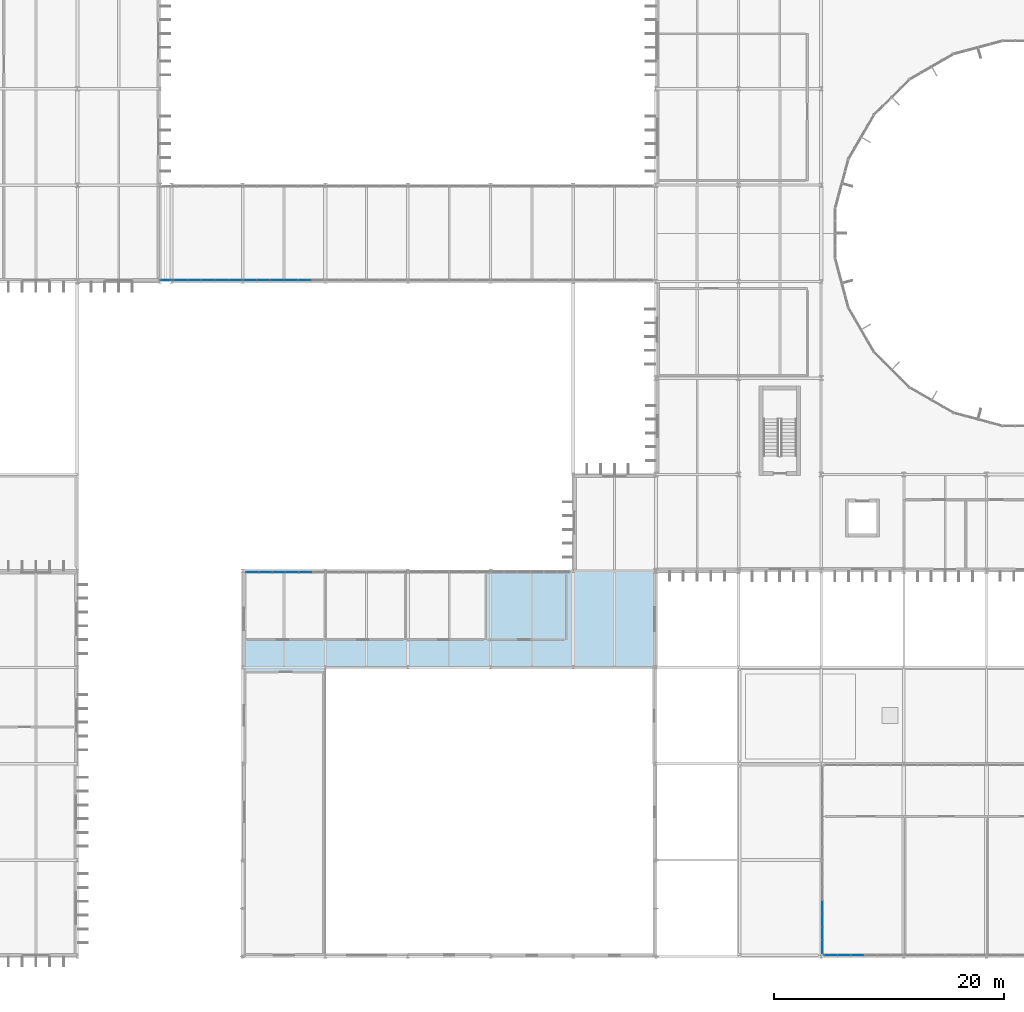
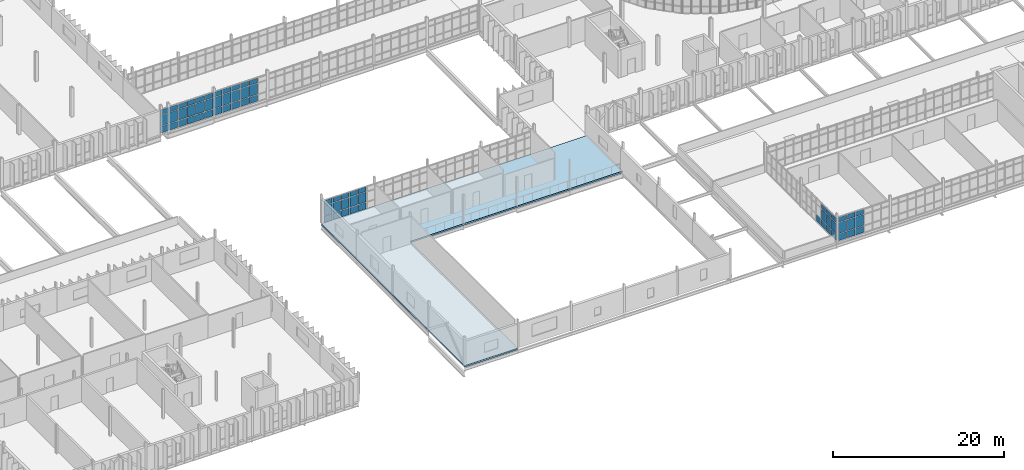
# One storey, part 67 of 119: 67 plates, 1 slab, 5 elements without a shape of their own.
"""IFC4 building model written with IfcOpenShell, lengths in metres."""

from ifc_helpers import new_model, si_unit, direction, frame, origin, origin_2d, place, context, subcontext, project, spatial, polyline, rectangle, outline, extrude, material, layer, layer_set, type_object, element, aggregate, save


model = new_model("IFC4")

# Units and contexts
model_context = context("Model", 3, precision=1e-05, world=origin(), true_north=direction((0.0, 1.0)))
body_context = subcontext(model_context, "Body", "Model", "MODEL_VIEW")
ifc_project = project(units=[si_unit("LENGTHUNIT", "METRE"), si_unit("AREAUNIT", "SQUARE_METRE"), si_unit("VOLUMEUNIT", "CUBIC_METRE"), si_unit("PLANEANGLEUNIT", "RADIAN"), si_unit("MASSUNIT", "GRAM", prefix="KILO")], contexts=[model_context])

# Site, building, storey
site_placement = place(None, origin())
site = spatial("IfcSite", under=ifc_project, at=site_placement, CompositionType="ELEMENT")
building_placement = place(site_placement, origin())
building = spatial("IfcBuilding", under=site, at=building_placement, Name="Qelthora Terrace Specialist Clinic", CompositionType="ELEMENT")
storey_placement = place(building_placement, frame((0.0, 0.0, 4.800048828125)))
storey = spatial("IfcBuildingStorey", under=building, at=storey_placement, Name="L01", CompositionType="ELEMENT", Elevation=4.800048828125)

# Curtain wall, plates
ifc_material_1 = material(Name="Aluminium anodized bronze", Category="aluminium")
curtain_wall_type_1 = type_object("IfcCurtainWallType", Name="CW-HALL-L01", PredefinedType="NOTDEFINED", material=ifc_material_1)
curtain_wall_1_placement = place(storey_placement, origin())
curtain_wall_1 = element("IfcCurtainWall", 1, at=curtain_wall_1_placement, inside=storey, type_object=curtain_wall_type_1, Name="Curtain wall CW-L01-224", PredefinedType="NOTDEFINED")
ifc_material_2 = material(Name="Low-E triple-silver insulating glass", Category="glass")
ifc_layer_1 = layer(ifc_material_2, 0.035888671875)
ifc_layer_set_1 = layer_set([ifc_layer_1], Name="Low-E triple-silver insulating glass")
plate_type = type_object("IfcPlateType", Name="CWP-IGU-36", PredefinedType="CURTAIN_PANEL", material=ifc_layer_set_1)
plate_1_placement = place(storey_placement, frame((58.438232421875, 33.47998046875, 0.0849609375), z_axis=(0.0, 0.0, 1.0), x_axis=(1.0, 0.0, 0.0)))
plate_1 = element("IfcPlate", 2, at=plate_1_placement, type_object=plate_type, Name="CW-L01-224 glazed panel 1", PredefinedType="CURTAIN_PANEL", context=body_context, shape_type="SweptSolid", body=[
    extrude(rectangle(XDim=1.056640625, YDim=0.035888671875, at=origin_2d()), origin(), (0.0, 0.0, 1.0), 0.919921875),
])
plate_2_placement = place(storey_placement, frame((58.438232421875, 33.47998046875, 1.0947265625), z_axis=(0.0, 0.0, 1.0), x_axis=(1.0, 0.0, 0.0)))
plate_2 = element("IfcPlate", 3, at=plate_2_placement, type_object=plate_type, Name="CW-L01-224 glazed panel 2", PredefinedType="CURTAIN_PANEL", context=body_context, shape_type="SweptSolid", body=[
    extrude(rectangle(XDim=1.056640625, YDim=0.035888671875, at=origin_2d()), origin(), (0.0, 0.0, 1.0), 1.385009765625),
])
plate_3_placement = place(storey_placement, frame((58.438232421875, 33.47998046875, 2.570068359375), z_axis=(0.0, 0.0, 1.0), x_axis=(1.0, 0.0, 0.0)))
plate_3 = element("IfcPlate", 4, at=plate_3_placement, type_object=plate_type, Name="CW-L01-224 glazed panel 3", PredefinedType="CURTAIN_PANEL", context=body_context, shape_type="SweptSolid", body=[
    extrude(rectangle(XDim=1.056640625, YDim=0.035888671875, at=origin_2d()), origin(), (0.0, 0.0, 1.0), 0.669921875),
])
plate_4_placement = place(storey_placement, frame((59.594970703125, 33.47998046875, 0.0849609375), z_axis=(0.0, 0.0, 1.0), x_axis=(1.0, 0.0, 0.0)))
plate_4 = element("IfcPlate", 5, at=plate_4_placement, type_object=plate_type, Name="CW-L01-224 glazed panel 4", PredefinedType="CURTAIN_PANEL", context=body_context, shape_type="SweptSolid", body=[
    extrude(rectangle(XDim=1.056640625, YDim=0.035888671875, at=origin_2d()), origin(), (0.0, 0.0, 1.0), 0.919921875),
])
plate_5_placement = place(storey_placement, frame((59.594970703125, 33.47998046875, 1.0947265625), z_axis=(0.0, 0.0, 1.0), x_axis=(1.0, 0.0, 0.0)))
plate_5 = element("IfcPlate", 6, at=plate_5_placement, type_object=plate_type, Name="CW-L01-224 glazed panel 5", PredefinedType="CURTAIN_PANEL", context=body_context, shape_type="SweptSolid", body=[
    extrude(rectangle(XDim=1.056640625, YDim=0.035888671875, at=origin_2d()), origin(), (0.0, 0.0, 1.0), 1.385009765625),
])
plate_6_placement = place(storey_placement, frame((59.594970703125, 33.47998046875, 2.570068359375), z_axis=(0.0, 0.0, 1.0), x_axis=(1.0, 0.0, 0.0)))
plate_6 = element("IfcPlate", 7, at=plate_6_placement, type_object=plate_type, Name="CW-L01-224 glazed panel 6", PredefinedType="CURTAIN_PANEL", context=body_context, shape_type="SweptSolid", body=[
    extrude(rectangle(XDim=1.056640625, YDim=0.035888671875, at=origin_2d()), origin(), (0.0, 0.0, 1.0), 0.669921875),
])
plate_7_placement = place(storey_placement, frame((60.751708984375, 33.47998046875, 0.0849609375), z_axis=(0.0, 0.0, 1.0), x_axis=(1.0, 0.0, 0.0)))
plate_7 = element("IfcPlate", 8, at=plate_7_placement, type_object=plate_type, Name="CW-L01-224 glazed panel 7", PredefinedType="CURTAIN_PANEL", context=body_context, shape_type="SweptSolid", body=[
    extrude(rectangle(XDim=1.056640625, YDim=0.035888671875, at=origin_2d()), origin(), (0.0, 0.0, 1.0), 0.919921875),
])
plate_8_placement = place(storey_placement, frame((60.751708984375, 33.47998046875, 1.0947265625), z_axis=(0.0, 0.0, 1.0), x_axis=(1.0, 0.0, 0.0)))
plate_8 = element("IfcPlate", 9, at=plate_8_placement, type_object=plate_type, Name="CW-L01-224 glazed panel 8", PredefinedType="CURTAIN_PANEL", context=body_context, shape_type="SweptSolid", body=[
    extrude(rectangle(XDim=1.056640625, YDim=0.035888671875, at=origin_2d()), origin(), (0.0, 0.0, 1.0), 1.385009765625),
])
plate_9_placement = place(storey_placement, frame((60.751708984375, 33.47998046875, 2.570068359375), z_axis=(0.0, 0.0, 1.0), x_axis=(1.0, 0.0, 0.0)))
plate_9 = element("IfcPlate", 10, at=plate_9_placement, type_object=plate_type, Name="CW-L01-224 glazed panel 9", PredefinedType="CURTAIN_PANEL", context=body_context, shape_type="SweptSolid", body=[
    extrude(rectangle(XDim=1.056640625, YDim=0.035888671875, at=origin_2d()), origin(), (0.0, 0.0, 1.0), 0.669921875),
])
plate_10_placement = place(storey_placement, frame((61.908447265625, 33.47998046875, 0.0849609375), z_axis=(0.0, 0.0, 1.0), x_axis=(1.0, 0.0, 0.0)))
plate_10 = element("IfcPlate", 11, at=plate_10_placement, type_object=plate_type, Name="CW-L01-224 glazed panel 10", PredefinedType="CURTAIN_PANEL", context=body_context, shape_type="SweptSolid", body=[
    extrude(rectangle(XDim=1.056640625, YDim=0.035888671875, at=origin_2d()), origin(), (0.0, 0.0, 1.0), 0.919921875),
])
plate_11_placement = place(storey_placement, frame((61.908447265625, 33.47998046875, 1.0947265625), z_axis=(0.0, 0.0, 1.0), x_axis=(1.0, 0.0, 0.0)))
plate_11 = element("IfcPlate", 12, at=plate_11_placement, type_object=plate_type, Name="CW-L01-224 glazed panel 11", PredefinedType="CURTAIN_PANEL", context=body_context, shape_type="SweptSolid", body=[
    extrude(rectangle(XDim=1.056640625, YDim=0.035888671875, at=origin_2d()), origin(), (0.0, 0.0, 1.0), 1.385009765625),
])
plate_12_placement = place(storey_placement, frame((61.908447265625, 33.47998046875, 2.570068359375), z_axis=(0.0, 0.0, 1.0), x_axis=(1.0, 0.0, 0.0)))
plate_12 = element("IfcPlate", 13, at=plate_12_placement, type_object=plate_type, Name="CW-L01-224 glazed panel 12", PredefinedType="CURTAIN_PANEL", context=body_context, shape_type="SweptSolid", body=[
    extrude(rectangle(XDim=1.056640625, YDim=0.035888671875, at=origin_2d()), origin(), (0.0, 0.0, 1.0), 0.669921875),
])
plate_13_placement = place(storey_placement, frame((63.06494140625, 33.47998046875, 0.0849609375), z_axis=(0.0, 0.0, 1.0), x_axis=(1.0, 0.0, 0.0)))
plate_13 = element("IfcPlate", 14, at=plate_13_placement, type_object=plate_type, Name="CW-L01-224 glazed panel 13", PredefinedType="CURTAIN_PANEL", context=body_context, shape_type="SweptSolid", body=[
    extrude(rectangle(XDim=1.056640625, YDim=0.035888671875, at=origin_2d()), origin(), (0.0, 0.0, 1.0), 0.919921875),
])
plate_14_placement = place(storey_placement, frame((63.06494140625, 33.47998046875, 1.0947265625), z_axis=(0.0, 0.0, 1.0), x_axis=(1.0, 0.0, 0.0)))
plate_14 = element("IfcPlate", 15, at=plate_14_placement, type_object=plate_type, Name="CW-L01-224 glazed panel 14", PredefinedType="CURTAIN_PANEL", context=body_context, shape_type="SweptSolid", body=[
    extrude(rectangle(XDim=1.056640625, YDim=0.035888671875, at=origin_2d()), origin(), (0.0, 0.0, 1.0), 1.385009765625),
])
plate_15_placement = place(storey_placement, frame((63.06494140625, 33.47998046875, 2.570068359375), z_axis=(0.0, 0.0, 1.0), x_axis=(1.0, 0.0, 0.0)))
plate_15 = element("IfcPlate", 16, at=plate_15_placement, type_object=plate_type, Name="CW-L01-224 glazed panel 15", PredefinedType="CURTAIN_PANEL", context=body_context, shape_type="SweptSolid", body=[
    extrude(rectangle(XDim=1.056640625, YDim=0.035888671875, at=origin_2d()), origin(), (0.0, 0.0, 1.0), 0.669921875),
])
aggregate(curtain_wall_1, [plate_1, plate_2, plate_3, plate_4, plate_5, plate_6, plate_7, plate_8, plate_9, plate_10, plate_11, plate_12, plate_13, plate_14, plate_15])

curtain_wall_type_2 = type_object("IfcCurtainWallType", Name="CW-BRG-L01", PredefinedType="NOTDEFINED", material=ifc_material_1)
curtain_wall_2_placement = place(storey_placement, origin())
curtain_wall_2 = element("IfcCurtainWall", 17, at=curtain_wall_2_placement, inside=storey, type_object=curtain_wall_type_2, Name="Curtain wall CW-L01-228", PredefinedType="NOTDEFINED")
plate_16_placement = place(storey_placement, frame((51.0, 58.919921875, 0.0849609375), z_axis=(0.0, 0.0, 1.0), x_axis=(1.0, 0.0, 0.0)))
plate_16 = element("IfcPlate", 18, at=plate_16_placement, type_object=plate_type, Name="CW-L01-228 glazed panel 1", PredefinedType="CURTAIN_PANEL", context=body_context, shape_type="SweptSolid", body=[
    extrude(rectangle(XDim=1.10009765625, YDim=0.035888671875, at=origin_2d()), origin(), (0.0, 0.0, 1.0), 0.919921875),
])
plate_17_placement = place(storey_placement, frame((51.0, 58.919921875, 1.09521484375), z_axis=(0.0, 0.0, 1.0), x_axis=(1.0, 0.0, 0.0)))
plate_17 = element("IfcPlate", 19, at=plate_17_placement, type_object=plate_type, Name="CW-L01-228 glazed panel 2", PredefinedType="CURTAIN_PANEL", context=body_context, shape_type="SweptSolid", body=[
    extrude(rectangle(XDim=1.10009765625, YDim=0.035888671875, at=origin_2d()), origin(), (0.0, 0.0, 1.0), 1.535888671875),
])
plate_18_placement = place(storey_placement, frame((51.0, 58.919921875, 2.720947265625), z_axis=(0.0, 0.0, 1.0), x_axis=(1.0, 0.0, 0.0)))
plate_18 = element("IfcPlate", 20, at=plate_18_placement, type_object=plate_type, Name="CW-L01-228 glazed panel 3", PredefinedType="CURTAIN_PANEL", context=body_context, shape_type="SweptSolid", body=[
    extrude(rectangle(XDim=1.10009765625, YDim=0.035888671875, at=origin_2d()), origin(), (0.0, 0.0, 1.0), 0.669921875),
])
plate_19_placement = place(storey_placement, frame((52.199951171875, 58.919921875, 0.0849609375), z_axis=(0.0, 0.0, 1.0), x_axis=(1.0, 0.0, 0.0)))
plate_19 = element("IfcPlate", 21, at=plate_19_placement, type_object=plate_type, Name="CW-L01-228 glazed panel 4", PredefinedType="CURTAIN_PANEL", context=body_context, shape_type="SweptSolid", body=[
    extrude(rectangle(XDim=1.10009765625, YDim=0.035888671875, at=origin_2d()), origin(), (0.0, 0.0, 1.0), 0.919921875),
])
plate_20_placement = place(storey_placement, frame((52.199951171875, 58.919921875, 1.09521484375), z_axis=(0.0, 0.0, 1.0), x_axis=(1.0, 0.0, 0.0)))
plate_20 = element("IfcPlate", 22, at=plate_20_placement, type_object=plate_type, Name="CW-L01-228 glazed panel 5", PredefinedType="CURTAIN_PANEL", context=body_context, shape_type="SweptSolid", body=[
    extrude(rectangle(XDim=1.10009765625, YDim=0.035888671875, at=origin_2d()), origin(), (0.0, 0.0, 1.0), 1.535888671875),
])
plate_21_placement = place(storey_placement, frame((52.199951171875, 58.919921875, 2.720947265625), z_axis=(0.0, 0.0, 1.0), x_axis=(1.0, 0.0, 0.0)))
plate_21 = element("IfcPlate", 23, at=plate_21_placement, type_object=plate_type, Name="CW-L01-228 glazed panel 6", PredefinedType="CURTAIN_PANEL", context=body_context, shape_type="SweptSolid", body=[
    extrude(rectangle(XDim=1.10009765625, YDim=0.035888671875, at=origin_2d()), origin(), (0.0, 0.0, 1.0), 0.669921875),
])
plate_22_placement = place(storey_placement, frame((53.39990234375, 58.919921875, 0.0849609375), z_axis=(0.0, 0.0, 1.0), x_axis=(1.0, 0.0, 0.0)))
plate_22 = element("IfcPlate", 24, at=plate_22_placement, type_object=plate_type, Name="CW-L01-228 glazed panel 7", PredefinedType="CURTAIN_PANEL", context=body_context, shape_type="SweptSolid", body=[
    extrude(rectangle(XDim=1.10009765625, YDim=0.035888671875, at=origin_2d()), origin(), (0.0, 0.0, 1.0), 0.919921875),
])
plate_23_placement = place(storey_placement, frame((53.39990234375, 58.919921875, 1.09521484375), z_axis=(0.0, 0.0, 1.0), x_axis=(1.0, 0.0, 0.0)))
plate_23 = element("IfcPlate", 25, at=plate_23_placement, type_object=plate_type, Name="CW-L01-228 glazed panel 8", PredefinedType="CURTAIN_PANEL", context=body_context, shape_type="SweptSolid", body=[
    extrude(rectangle(XDim=1.10009765625, YDim=0.035888671875, at=origin_2d()), origin(), (0.0, 0.0, 1.0), 1.535888671875),
])
plate_24_placement = place(storey_placement, frame((53.39990234375, 58.919921875, 2.720947265625), z_axis=(0.0, 0.0, 1.0), x_axis=(1.0, 0.0, 0.0)))
plate_24 = element("IfcPlate", 26, at=plate_24_placement, type_object=plate_type, Name="CW-L01-228 glazed panel 9", PredefinedType="CURTAIN_PANEL", context=body_context, shape_type="SweptSolid", body=[
    extrude(rectangle(XDim=1.10009765625, YDim=0.035888671875, at=origin_2d()), origin(), (0.0, 0.0, 1.0), 0.669921875),
])
plate_25_placement = place(storey_placement, frame((54.60009765625, 58.919921875, 0.0849609375), z_axis=(0.0, 0.0, 1.0), x_axis=(1.0, 0.0, 0.0)))
plate_25 = element("IfcPlate", 27, at=plate_25_placement, type_object=plate_type, Name="CW-L01-228 glazed panel 10", PredefinedType="CURTAIN_PANEL", context=body_context, shape_type="SweptSolid", body=[
    extrude(rectangle(XDim=1.10009765625, YDim=0.035888671875, at=origin_2d()), origin(), (0.0, 0.0, 1.0), 0.919921875),
])
plate_26_placement = place(storey_placement, frame((54.60009765625, 58.919921875, 1.09521484375), z_axis=(0.0, 0.0, 1.0), x_axis=(1.0, 0.0, 0.0)))
plate_26 = element("IfcPlate", 28, at=plate_26_placement, type_object=plate_type, Name="CW-L01-228 glazed panel 11", PredefinedType="CURTAIN_PANEL", context=body_context, shape_type="SweptSolid", body=[
    extrude(rectangle(XDim=1.10009765625, YDim=0.035888671875, at=origin_2d()), origin(), (0.0, 0.0, 1.0), 1.535888671875),
])
plate_27_placement = place(storey_placement, frame((54.60009765625, 58.919921875, 2.720947265625), z_axis=(0.0, 0.0, 1.0), x_axis=(1.0, 0.0, 0.0)))
plate_27 = element("IfcPlate", 29, at=plate_27_placement, type_object=plate_type, Name="CW-L01-228 glazed panel 12", PredefinedType="CURTAIN_PANEL", context=body_context, shape_type="SweptSolid", body=[
    extrude(rectangle(XDim=1.10009765625, YDim=0.035888671875, at=origin_2d()), origin(), (0.0, 0.0, 1.0), 0.669921875),
])
plate_28_placement = place(storey_placement, frame((55.800048828125, 58.919921875, 0.0849609375), z_axis=(0.0, 0.0, 1.0), x_axis=(1.0, 0.0, 0.0)))
plate_28 = element("IfcPlate", 30, at=plate_28_placement, type_object=plate_type, Name="CW-L01-228 glazed panel 13", PredefinedType="CURTAIN_PANEL", context=body_context, shape_type="SweptSolid", body=[
    extrude(rectangle(XDim=1.10009765625, YDim=0.035888671875, at=origin_2d()), origin(), (0.0, 0.0, 1.0), 0.919921875),
])
plate_29_placement = place(storey_placement, frame((55.800048828125, 58.919921875, 1.09521484375), z_axis=(0.0, 0.0, 1.0), x_axis=(1.0, 0.0, 0.0)))
plate_29 = element("IfcPlate", 31, at=plate_29_placement, type_object=plate_type, Name="CW-L01-228 glazed panel 14", PredefinedType="CURTAIN_PANEL", context=body_context, shape_type="SweptSolid", body=[
    extrude(rectangle(XDim=1.10009765625, YDim=0.035888671875, at=origin_2d()), origin(), (0.0, 0.0, 1.0), 1.535888671875),
])
plate_30_placement = place(storey_placement, frame((55.800048828125, 58.919921875, 2.720947265625), z_axis=(0.0, 0.0, 1.0), x_axis=(1.0, 0.0, 0.0)))
plate_30 = element("IfcPlate", 32, at=plate_30_placement, type_object=plate_type, Name="CW-L01-228 glazed panel 15", PredefinedType="CURTAIN_PANEL", context=body_context, shape_type="SweptSolid", body=[
    extrude(rectangle(XDim=1.10009765625, YDim=0.035888671875, at=origin_2d()), origin(), (0.0, 0.0, 1.0), 0.669921875),
])
plate_31_placement = place(storey_placement, frame((57.0, 58.919921875, 0.0849609375), z_axis=(0.0, 0.0, 1.0), x_axis=(1.0, 0.0, 0.0)))
plate_31 = element("IfcPlate", 33, at=plate_31_placement, type_object=plate_type, Name="CW-L01-228 glazed panel 16", PredefinedType="CURTAIN_PANEL", context=body_context, shape_type="SweptSolid", body=[
    extrude(rectangle(XDim=1.10009765625, YDim=0.035888671875, at=origin_2d()), origin(), (0.0, 0.0, 1.0), 0.919921875),
])
plate_32_placement = place(storey_placement, frame((57.0, 58.919921875, 1.09521484375), z_axis=(0.0, 0.0, 1.0), x_axis=(1.0, 0.0, 0.0)))
plate_32 = element("IfcPlate", 34, at=plate_32_placement, type_object=plate_type, Name="CW-L01-228 glazed panel 17", PredefinedType="CURTAIN_PANEL", context=body_context, shape_type="SweptSolid", body=[
    extrude(rectangle(XDim=1.10009765625, YDim=0.035888671875, at=origin_2d()), origin(), (0.0, 0.0, 1.0), 1.535888671875),
])
plate_33_placement = place(storey_placement, frame((57.0, 58.919921875, 2.720947265625), z_axis=(0.0, 0.0, 1.0), x_axis=(1.0, 0.0, 0.0)))
plate_33 = element("IfcPlate", 35, at=plate_33_placement, type_object=plate_type, Name="CW-L01-228 glazed panel 18", PredefinedType="CURTAIN_PANEL", context=body_context, shape_type="SweptSolid", body=[
    extrude(rectangle(XDim=1.10009765625, YDim=0.035888671875, at=origin_2d()), origin(), (0.0, 0.0, 1.0), 0.669921875),
])
aggregate(curtain_wall_2, [plate_16, plate_17, plate_18, plate_19, plate_20, plate_21, plate_22, plate_23, plate_24, plate_25, plate_26, plate_27, plate_28, plate_29, plate_30, plate_31, plate_32, plate_33])

curtain_wall_3_placement = place(storey_placement, origin())
curtain_wall_3 = element("IfcCurtainWall", 36, at=curtain_wall_3_placement, inside=storey, type_object=curtain_wall_type_2, Name="Curtain wall CW-L01-229", PredefinedType="NOTDEFINED")
plate_34_placement = place(storey_placement, frame((58.199951171875, 58.919921875, 0.0849609375), z_axis=(0.0, 0.0, 1.0), x_axis=(1.0, 0.0, 0.0)))
plate_34 = element("IfcPlate", 37, at=plate_34_placement, type_object=plate_type, Name="CW-L01-229 glazed panel 1", PredefinedType="CURTAIN_PANEL", context=body_context, shape_type="SweptSolid", body=[
    extrude(rectangle(XDim=1.10009765625, YDim=0.035888671875, at=origin_2d()), origin(), (0.0, 0.0, 1.0), 0.919921875),
])
plate_35_placement = place(storey_placement, frame((58.199951171875, 58.919921875, 1.094970703125), z_axis=(0.0, 0.0, 1.0), x_axis=(1.0, 0.0, 0.0)))
plate_35 = element("IfcPlate", 38, at=plate_35_placement, type_object=plate_type, Name="CW-L01-229 glazed panel 2", PredefinedType="CURTAIN_PANEL", context=body_context, shape_type="SweptSolid", body=[
    extrude(rectangle(XDim=1.10009765625, YDim=0.035888671875, at=origin_2d()), origin(), (0.0, 0.0, 1.0), 1.5419921875),
])
plate_36_placement = place(storey_placement, frame((58.199951171875, 58.919921875, 2.72705078125), z_axis=(0.0, 0.0, 1.0), x_axis=(1.0, 0.0, 0.0)))
plate_36 = element("IfcPlate", 39, at=plate_36_placement, type_object=plate_type, Name="CW-L01-229 glazed panel 3", PredefinedType="CURTAIN_PANEL", context=body_context, shape_type="SweptSolid", body=[
    extrude(rectangle(XDim=1.10009765625, YDim=0.035888671875, at=origin_2d()), origin(), (0.0, 0.0, 1.0), 0.669921875),
])
plate_37_placement = place(storey_placement, frame((59.39990234375, 58.919921875, 0.0849609375), z_axis=(0.0, 0.0, 1.0), x_axis=(1.0, 0.0, 0.0)))
plate_37 = element("IfcPlate", 40, at=plate_37_placement, type_object=plate_type, Name="CW-L01-229 glazed panel 4", PredefinedType="CURTAIN_PANEL", context=body_context, shape_type="SweptSolid", body=[
    extrude(rectangle(XDim=1.10009765625, YDim=0.035888671875, at=origin_2d()), origin(), (0.0, 0.0, 1.0), 0.919921875),
])
plate_38_placement = place(storey_placement, frame((59.39990234375, 58.919921875, 1.094970703125), z_axis=(0.0, 0.0, 1.0), x_axis=(1.0, 0.0, 0.0)))
plate_38 = element("IfcPlate", 41, at=plate_38_placement, type_object=plate_type, Name="CW-L01-229 glazed panel 5", PredefinedType="CURTAIN_PANEL", context=body_context, shape_type="SweptSolid", body=[
    extrude(rectangle(XDim=1.10009765625, YDim=0.035888671875, at=origin_2d()), origin(), (0.0, 0.0, 1.0), 1.5419921875),
])
plate_39_placement = place(storey_placement, frame((59.39990234375, 58.919921875, 2.72705078125), z_axis=(0.0, 0.0, 1.0), x_axis=(1.0, 0.0, 0.0)))
plate_39 = element("IfcPlate", 42, at=plate_39_placement, type_object=plate_type, Name="CW-L01-229 glazed panel 6", PredefinedType="CURTAIN_PANEL", context=body_context, shape_type="SweptSolid", body=[
    extrude(rectangle(XDim=1.10009765625, YDim=0.035888671875, at=origin_2d()), origin(), (0.0, 0.0, 1.0), 0.669921875),
])
plate_40_placement = place(storey_placement, frame((60.60009765625, 58.919921875, 0.0849609375), z_axis=(0.0, 0.0, 1.0), x_axis=(1.0, 0.0, 0.0)))
plate_40 = element("IfcPlate", 43, at=plate_40_placement, type_object=plate_type, Name="CW-L01-229 glazed panel 7", PredefinedType="CURTAIN_PANEL", context=body_context, shape_type="SweptSolid", body=[
    extrude(rectangle(XDim=1.10009765625, YDim=0.035888671875, at=origin_2d()), origin(), (0.0, 0.0, 1.0), 0.919921875),
])
plate_41_placement = place(storey_placement, frame((60.60009765625, 58.919921875, 1.094970703125), z_axis=(0.0, 0.0, 1.0), x_axis=(1.0, 0.0, 0.0)))
plate_41 = element("IfcPlate", 44, at=plate_41_placement, type_object=plate_type, Name="CW-L01-229 glazed panel 8", PredefinedType="CURTAIN_PANEL", context=body_context, shape_type="SweptSolid", body=[
    extrude(rectangle(XDim=1.10009765625, YDim=0.035888671875, at=origin_2d()), origin(), (0.0, 0.0, 1.0), 1.5419921875),
])
plate_42_placement = place(storey_placement, frame((60.60009765625, 58.919921875, 2.72705078125), z_axis=(0.0, 0.0, 1.0), x_axis=(1.0, 0.0, 0.0)))
plate_42 = element("IfcPlate", 45, at=plate_42_placement, type_object=plate_type, Name="CW-L01-229 glazed panel 9", PredefinedType="CURTAIN_PANEL", context=body_context, shape_type="SweptSolid", body=[
    extrude(rectangle(XDim=1.10009765625, YDim=0.035888671875, at=origin_2d()), origin(), (0.0, 0.0, 1.0), 0.669921875),
])
plate_43_placement = place(storey_placement, frame((61.800048828125, 58.919921875, 0.0849609375), z_axis=(0.0, 0.0, 1.0), x_axis=(1.0, 0.0, 0.0)))
plate_43 = element("IfcPlate", 46, at=plate_43_placement, type_object=plate_type, Name="CW-L01-229 glazed panel 10", PredefinedType="CURTAIN_PANEL", context=body_context, shape_type="SweptSolid", body=[
    extrude(rectangle(XDim=1.10009765625, YDim=0.035888671875, at=origin_2d()), origin(), (0.0, 0.0, 1.0), 0.919921875),
])
plate_44_placement = place(storey_placement, frame((61.800048828125, 58.919921875, 1.094970703125), z_axis=(0.0, 0.0, 1.0), x_axis=(1.0, 0.0, 0.0)))
plate_44 = element("IfcPlate", 47, at=plate_44_placement, type_object=plate_type, Name="CW-L01-229 glazed panel 11", PredefinedType="CURTAIN_PANEL", context=body_context, shape_type="SweptSolid", body=[
    extrude(rectangle(XDim=1.10009765625, YDim=0.035888671875, at=origin_2d()), origin(), (0.0, 0.0, 1.0), 1.5419921875),
])
plate_45_placement = place(storey_placement, frame((61.800048828125, 58.919921875, 2.72705078125), z_axis=(0.0, 0.0, 1.0), x_axis=(1.0, 0.0, 0.0)))
plate_45 = element("IfcPlate", 48, at=plate_45_placement, type_object=plate_type, Name="CW-L01-229 glazed panel 12", PredefinedType="CURTAIN_PANEL", context=body_context, shape_type="SweptSolid", body=[
    extrude(rectangle(XDim=1.10009765625, YDim=0.035888671875, at=origin_2d()), origin(), (0.0, 0.0, 1.0), 0.669921875),
])
plate_46_placement = place(storey_placement, frame((63.0, 58.919921875, 0.0849609375), z_axis=(0.0, 0.0, 1.0), x_axis=(1.0, 0.0, 0.0)))
plate_46 = element("IfcPlate", 49, at=plate_46_placement, type_object=plate_type, Name="CW-L01-229 glazed panel 13", PredefinedType="CURTAIN_PANEL", context=body_context, shape_type="SweptSolid", body=[
    extrude(rectangle(XDim=1.10009765625, YDim=0.035888671875, at=origin_2d()), origin(), (0.0, 0.0, 1.0), 0.919921875),
])
plate_47_placement = place(storey_placement, frame((63.0, 58.919921875, 1.094970703125), z_axis=(0.0, 0.0, 1.0), x_axis=(1.0, 0.0, 0.0)))
plate_47 = element("IfcPlate", 50, at=plate_47_placement, type_object=plate_type, Name="CW-L01-229 glazed panel 14", PredefinedType="CURTAIN_PANEL", context=body_context, shape_type="SweptSolid", body=[
    extrude(rectangle(XDim=1.10009765625, YDim=0.035888671875, at=origin_2d()), origin(), (0.0, 0.0, 1.0), 1.5419921875),
])
plate_48_placement = place(storey_placement, frame((63.0, 58.919921875, 2.72705078125), z_axis=(0.0, 0.0, 1.0), x_axis=(1.0, 0.0, 0.0)))
plate_48 = element("IfcPlate", 51, at=plate_48_placement, type_object=plate_type, Name="CW-L01-229 glazed panel 15", PredefinedType="CURTAIN_PANEL", context=body_context, shape_type="SweptSolid", body=[
    extrude(rectangle(XDim=1.10009765625, YDim=0.035888671875, at=origin_2d()), origin(), (0.0, 0.0, 1.0), 0.669921875),
])
aggregate(curtain_wall_3, [plate_34, plate_35, plate_36, plate_37, plate_38, plate_39, plate_40, plate_41, plate_42, plate_43, plate_44, plate_45, plate_46, plate_47, plate_48])

curtain_wall_type_3 = type_object("IfcCurtainWallType", Name="CW-CONS-UP", PredefinedType="NOTDEFINED", material=ifc_material_1)
curtain_wall_4_placement = place(storey_placement, origin())
curtain_wall_4 = element("IfcCurtainWall", 52, at=curtain_wall_4_placement, inside=storey, type_object=curtain_wall_type_3, Name="Curtain wall CW-L01-248", PredefinedType="NOTDEFINED")
plate_49_placement = place(storey_placement, frame((108.83837890625, 0.1201171875, 0.0849609375), z_axis=(0.0, 0.0, 1.0), x_axis=(1.0, 0.0, 0.0)))
plate_49 = element("IfcPlate", 53, at=plate_49_placement, type_object=plate_type, Name="CW-L01-248 glazed panel 1", PredefinedType="CURTAIN_PANEL", context=body_context, shape_type="SweptSolid", body=[
    extrude(rectangle(XDim=1.056640625, YDim=0.035888671875, at=origin_2d()), origin(), (0.0, 0.0, 1.0), 0.919921875),
])
plate_50_placement = place(storey_placement, frame((108.83837890625, 0.1201171875, 1.094970703125), z_axis=(0.0, 0.0, 1.0), x_axis=(1.0, 0.0, 0.0)))
plate_50 = element("IfcPlate", 54, at=plate_50_placement, type_object=plate_type, Name="CW-L01-248 glazed panel 2", PredefinedType="CURTAIN_PANEL", context=body_context, shape_type="SweptSolid", body=[
    extrude(rectangle(XDim=1.056640625, YDim=0.035888671875, at=origin_2d()), origin(), (0.0, 0.0, 1.0), 1.5419921875),
])
plate_51_placement = place(storey_placement, frame((108.83837890625, 0.1201171875, 2.72705078125), z_axis=(0.0, 0.0, 1.0), x_axis=(1.0, 0.0, 0.0)))
plate_51 = element("IfcPlate", 55, at=plate_51_placement, type_object=plate_type, Name="CW-L01-248 glazed panel 3", PredefinedType="CURTAIN_PANEL", context=body_context, shape_type="SweptSolid", body=[
    extrude(rectangle(XDim=1.056640625, YDim=0.035888671875, at=origin_2d()), origin(), (0.0, 0.0, 1.0), 0.669921875),
])
plate_52_placement = place(storey_placement, frame((109.9951171875, 0.1201171875, 0.0849609375), z_axis=(0.0, 0.0, 1.0), x_axis=(1.0, 0.0, 0.0)))
plate_52 = element("IfcPlate", 56, at=plate_52_placement, type_object=plate_type, Name="CW-L01-248 glazed panel 4", PredefinedType="CURTAIN_PANEL", context=body_context, shape_type="SweptSolid", body=[
    extrude(rectangle(XDim=1.056640625, YDim=0.035888671875, at=origin_2d()), origin(), (0.0, 0.0, 1.0), 0.919921875),
])
plate_53_placement = place(storey_placement, frame((109.9951171875, 0.1201171875, 1.094970703125), z_axis=(0.0, 0.0, 1.0), x_axis=(1.0, 0.0, 0.0)))
plate_53 = element("IfcPlate", 57, at=plate_53_placement, type_object=plate_type, Name="CW-L01-248 glazed panel 5", PredefinedType="CURTAIN_PANEL", context=body_context, shape_type="SweptSolid", body=[
    extrude(rectangle(XDim=1.056640625, YDim=0.035888671875, at=origin_2d()), origin(), (0.0, 0.0, 1.0), 1.5419921875),
])
plate_54_placement = place(storey_placement, frame((109.9951171875, 0.1201171875, 2.72705078125), z_axis=(0.0, 0.0, 1.0), x_axis=(1.0, 0.0, 0.0)))
plate_54 = element("IfcPlate", 58, at=plate_54_placement, type_object=plate_type, Name="CW-L01-248 glazed panel 6", PredefinedType="CURTAIN_PANEL", context=body_context, shape_type="SweptSolid", body=[
    extrude(rectangle(XDim=1.056640625, YDim=0.035888671875, at=origin_2d()), origin(), (0.0, 0.0, 1.0), 0.669921875),
])
plate_55_placement = place(storey_placement, frame((111.151611328125, 0.1201171875, 0.0849609375), z_axis=(0.0, 0.0, 1.0), x_axis=(1.0, 0.0, 0.0)))
plate_55 = element("IfcPlate", 59, at=plate_55_placement, type_object=plate_type, Name="CW-L01-248 glazed panel 7", PredefinedType="CURTAIN_PANEL", context=body_context, shape_type="SweptSolid", body=[
    extrude(rectangle(XDim=1.056640625, YDim=0.035888671875, at=origin_2d()), origin(), (0.0, 0.0, 1.0), 0.919921875),
])
plate_56_placement = place(storey_placement, frame((111.151611328125, 0.1201171875, 1.094970703125), z_axis=(0.0, 0.0, 1.0), x_axis=(1.0, 0.0, 0.0)))
plate_56 = element("IfcPlate", 60, at=plate_56_placement, type_object=plate_type, Name="CW-L01-248 glazed panel 8", PredefinedType="CURTAIN_PANEL", context=body_context, shape_type="SweptSolid", body=[
    extrude(rectangle(XDim=1.056640625, YDim=0.035888671875, at=origin_2d()), origin(), (0.0, 0.0, 1.0), 1.5419921875),
])
plate_57_placement = place(storey_placement, frame((111.151611328125, 0.1201171875, 2.72705078125), z_axis=(0.0, 0.0, 1.0), x_axis=(1.0, 0.0, 0.0)))
plate_57 = element("IfcPlate", 61, at=plate_57_placement, type_object=plate_type, Name="CW-L01-248 glazed panel 9", PredefinedType="CURTAIN_PANEL", context=body_context, shape_type="SweptSolid", body=[
    extrude(rectangle(XDim=1.056640625, YDim=0.035888671875, at=origin_2d()), origin(), (0.0, 0.0, 1.0), 0.669921875),
])
aggregate(curtain_wall_4, [plate_49, plate_50, plate_51, plate_52, plate_53, plate_54, plate_55, plate_56, plate_57])

curtain_wall_5_placement = place(storey_placement, origin())
curtain_wall_5 = element("IfcCurtainWall", 62, at=curtain_wall_5_placement, inside=storey, type_object=curtain_wall_type_3, Name="Curtain wall CW-L01-254", PredefinedType="NOTDEFINED")
plate_58_placement = place(storey_placement, frame((108.1201171875, 0.84130859375, 0.0849609375), z_axis=(0.0, 0.0, 1.0), x_axis=(0.0, 1.0, 0.0)))
plate_58 = element("IfcPlate", 63, at=plate_58_placement, type_object=plate_type, Name="CW-L01-254 glazed panel 1", PredefinedType="CURTAIN_PANEL", context=body_context, shape_type="SweptSolid", body=[
    extrude(rectangle(XDim=1.062744140625, YDim=0.035888671875, at=origin_2d()), origin(), (0.0, 0.0, 1.0), 0.919921875),
])
plate_59_placement = place(storey_placement, frame((108.1201171875, 0.84130859375, 1.0947265625), z_axis=(0.0, 0.0, 1.0), x_axis=(0.0, 1.0, 0.0)))
plate_59 = element("IfcPlate", 64, at=plate_59_placement, type_object=plate_type, Name="CW-L01-254 glazed panel 2", PredefinedType="CURTAIN_PANEL", context=body_context, shape_type="SweptSolid", body=[
    extrude(rectangle(XDim=1.062744140625, YDim=0.035888671875, at=origin_2d()), origin(), (0.0, 0.0, 1.0), 1.385009765625),
])
plate_60_placement = place(storey_placement, frame((108.1201171875, 0.84130859375, 2.570068359375), z_axis=(0.0, 0.0, 1.0), x_axis=(0.0, 1.0, 0.0)))
plate_60 = element("IfcPlate", 65, at=plate_60_placement, type_object=plate_type, Name="CW-L01-254 glazed panel 3", PredefinedType="CURTAIN_PANEL", context=body_context, shape_type="SweptSolid", body=[
    extrude(rectangle(XDim=1.062744140625, YDim=0.035888671875, at=origin_2d()), origin(), (0.0, 0.0, 1.0), 0.669921875),
])
plate_61_placement = place(storey_placement, frame((108.1201171875, 2.00439453125, 0.0849609375), z_axis=(0.0, 0.0, 1.0), x_axis=(0.0, 1.0, 0.0)))
plate_61 = element("IfcPlate", 66, at=plate_61_placement, type_object=plate_type, Name="CW-L01-254 glazed panel 4", PredefinedType="CURTAIN_PANEL", context=body_context, shape_type="SweptSolid", body=[
    extrude(rectangle(XDim=1.062744140625, YDim=0.035888671875, at=origin_2d()), origin(), (0.0, 0.0, 1.0), 0.919921875),
])
plate_62_placement = place(storey_placement, frame((108.1201171875, 2.00439453125, 1.0947265625), z_axis=(0.0, 0.0, 1.0), x_axis=(0.0, 1.0, 0.0)))
plate_62 = element("IfcPlate", 67, at=plate_62_placement, type_object=plate_type, Name="CW-L01-254 glazed panel 5", PredefinedType="CURTAIN_PANEL", context=body_context, shape_type="SweptSolid", body=[
    extrude(rectangle(XDim=1.062744140625, YDim=0.035888671875, at=origin_2d()), origin(), (0.0, 0.0, 1.0), 1.385009765625),
])
plate_63_placement = place(storey_placement, frame((108.1201171875, 2.00439453125, 2.570068359375), z_axis=(0.0, 0.0, 1.0), x_axis=(0.0, 1.0, 0.0)))
plate_63 = element("IfcPlate", 68, at=plate_63_placement, type_object=plate_type, Name="CW-L01-254 glazed panel 6", PredefinedType="CURTAIN_PANEL", context=body_context, shape_type="SweptSolid", body=[
    extrude(rectangle(XDim=1.062744140625, YDim=0.035888671875, at=origin_2d()), origin(), (0.0, 0.0, 1.0), 0.669921875),
])
plate_64_placement = place(storey_placement, frame((108.1201171875, 3.167236328125, 0.0849609375), z_axis=(0.0, 0.0, 1.0), x_axis=(0.0, 1.0, 0.0)))
plate_64 = element("IfcPlate", 69, at=plate_64_placement, type_object=plate_type, Name="CW-L01-254 glazed panel 7", PredefinedType="CURTAIN_PANEL", context=body_context, shape_type="SweptSolid", body=[
    extrude(rectangle(XDim=1.062744140625, YDim=0.035888671875, at=origin_2d()), origin(), (0.0, 0.0, 1.0), 0.919921875),
])
plate_65_placement = place(storey_placement, frame((108.1201171875, 3.167236328125, 1.0947265625), z_axis=(0.0, 0.0, 1.0), x_axis=(0.0, 1.0, 0.0)))
plate_65 = element("IfcPlate", 70, at=plate_65_placement, type_object=plate_type, Name="CW-L01-254 glazed panel 8", PredefinedType="CURTAIN_PANEL", context=body_context, shape_type="SweptSolid", body=[
    extrude(rectangle(XDim=1.062744140625, YDim=0.035888671875, at=origin_2d()), origin(), (0.0, 0.0, 1.0), 1.385009765625),
])
plate_66_placement = place(storey_placement, frame((108.1201171875, 3.167236328125, 2.570068359375), z_axis=(0.0, 0.0, 1.0), x_axis=(0.0, 1.0, 0.0)))
plate_66 = element("IfcPlate", 71, at=plate_66_placement, type_object=plate_type, Name="CW-L01-254 glazed panel 9", PredefinedType="CURTAIN_PANEL", context=body_context, shape_type="SweptSolid", body=[
    extrude(rectangle(XDim=1.062744140625, YDim=0.035888671875, at=origin_2d()), origin(), (0.0, 0.0, 1.0), 0.669921875),
])
plate_67_placement = place(storey_placement, frame((108.1201171875, 4.330078125, 0.0849609375), z_axis=(0.0, 0.0, 1.0), x_axis=(0.0, 1.0, 0.0)))
plate_67 = element("IfcPlate", 72, at=plate_67_placement, type_object=plate_type, Name="CW-L01-254 glazed panel 10", PredefinedType="CURTAIN_PANEL", context=body_context, shape_type="SweptSolid", body=[
    extrude(rectangle(XDim=1.062744140625, YDim=0.035888671875, at=origin_2d()), origin(), (0.0, 0.0, 1.0), 0.919921875),
])
aggregate(curtain_wall_5, [plate_58, plate_59, plate_60, plate_61, plate_62, plate_63, plate_64, plate_65, plate_66, plate_67])

# Slab
ifc_material_3 = material(Name="Concrete C30/37", Category="concrete")
ifc_layer_2 = layer(ifc_material_3, 0.219970703125)
ifc_layer_set_2 = layer_set([ifc_layer_2], Name="Concrete C30/37")
slab_type = type_object("IfcSlabType", Name="SLB-FLR-220-C30", PredefinedType="FLOOR", material=ifc_layer_set_2)
slab_placement = place(storey_placement, frame((0.0, 0.0, -0.219970703125)))
element("IfcSlab", 73, at=slab_placement, inside=storey, type_object=slab_type, Name="L01 V1 slab SLB-L01-V1", PredefinedType="FLOOR", context=body_context, shape_type="SweptSolid", body=[
    extrude(outline(polyline([(57.60009765625, 33.60009765625), (93.60009765625, 33.60009765625), (93.60009765625, 25.199951171875), (64.800048828125, 25.199951171875), (64.800048828125, 0.0), (57.60009765625, 0.0), (57.60009765625, 33.60009765625)])), origin(), (0.0, 0.0, 1.0), 0.219970703125),
])

save(model, "model.ifc")
